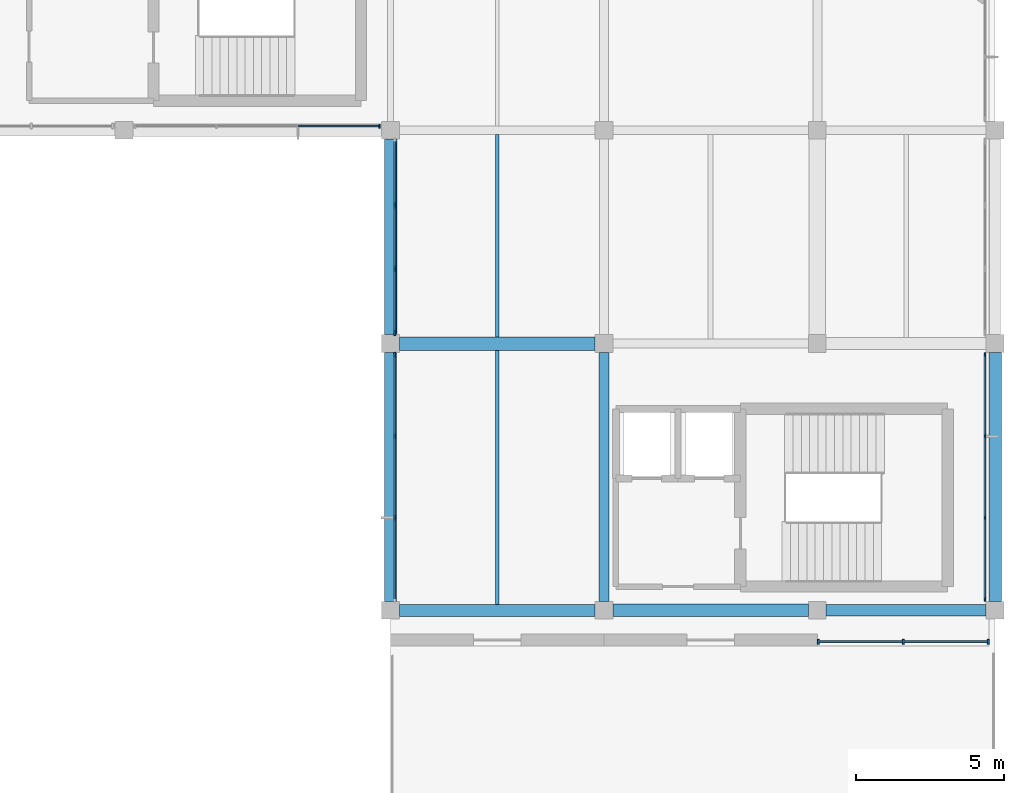
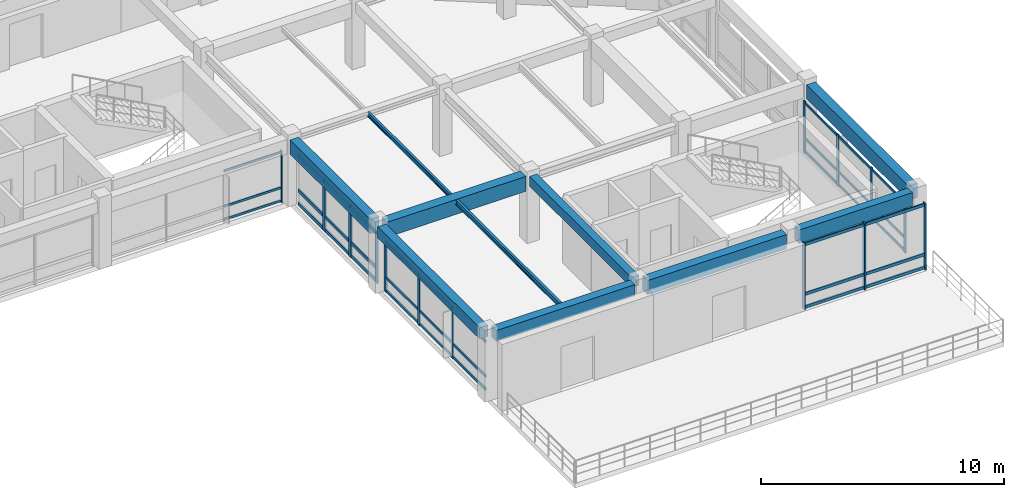
# One storey, part 4 of 12: 50 members, 10 beams, 5 elements without a shape of their own.
"""IFC4 building model written with IfcOpenShell, lengths in metres."""

from ifc_helpers import new_model, si_unit, direction, frame, origin, origin_2d, place, context, subcontext, project, spatial, rectangle, i_section, extrude, material, material_profile, profile_set, type_object, element, aggregate, save


model = new_model("IFC4")

# Units and contexts
model_context = context("Model", 3, precision=1e-05, world=origin(), true_north=direction((0.0, 1.0)))
body_context = subcontext(model_context, "Body", "Model", "MODEL_VIEW")
ifc_project = project(units=[si_unit("LENGTHUNIT", "METRE"), si_unit("AREAUNIT", "SQUARE_METRE"), si_unit("VOLUMEUNIT", "CUBIC_METRE"), si_unit("PLANEANGLEUNIT", "RADIAN"), si_unit("MASSUNIT", "GRAM", prefix="KILO")], contexts=[model_context])

# Site, building, storey
site_placement = place(None, origin())
site = spatial("IfcSite", under=ifc_project, at=site_placement, CompositionType="ELEMENT")
building_placement = place(site_placement, origin())
building = spatial("IfcBuilding", under=site, at=building_placement, Name="Clarverna Civic Hall", CompositionType="ELEMENT")
storey_placement = place(building_placement, frame((0.0, 0.0, 24.0)))
storey = spatial("IfcBuildingStorey", under=building, at=storey_placement, Name="L06", CompositionType="ELEMENT", Elevation=24.0)

# Beams
ifc_material_1 = material(Name="Concrete C35/45", Category="concrete")
ifc_material_profile_1 = material_profile(ifc_material_1, rectangle(XDim=0.35009765625, YDim=0.5, at=origin_2d()), Name="RC 350x500")
ifc_profile_set_1 = profile_set([ifc_material_profile_1], Name="Concrete C35/45")
beam_type_1 = type_object("IfcBeamType", Name="B-RC10", PredefinedType="BEAM", material=ifc_profile_set_1)
beam_1_placement = place(storey_placement, frame((154.800048828125, 79.10009765625, 3.090087890625), z_axis=(0.0, 1.0, 0.0), x_axis=(-1.0, 0.0, 0.0)))
element("IfcBeam", 1, at=beam_1_placement, inside=storey, type_object=beam_type_1, Name="B-RC10-033", PredefinedType="BEAM", context=body_context, shape_type="SweptSolid", body=[
    extrude(rectangle(XDim=0.35009765625, YDim=0.5, at=origin_2d()), origin(), (0.0, 0.0, 1.0), 8.39990234375),
])
ifc_material_profile_2 = material_profile(ifc_material_1, rectangle(XDim=0.449951171875, YDim=0.75, at=origin_2d()), Name="RC 450x750")
ifc_profile_set_2 = profile_set([ifc_material_profile_2], Name="Concrete C35/45")
beam_type_2 = type_object("IfcBeamType", Name="B-RC3", PredefinedType="BEAM", material=ifc_profile_set_2)
beam_2_placement = place(storey_placement, frame((147.89990234375, 87.800048828125, 2.965087890625), z_axis=(1.0, 0.0, 0.0), x_axis=(0.0, 1.0, 0.0)))
element("IfcBeam", 2, at=beam_2_placement, inside=storey, type_object=beam_type_2, Name="B-RC3-041", PredefinedType="BEAM", context=body_context, shape_type="SweptSolid", body=[
    extrude(rectangle(XDim=0.449951171875, YDim=0.75, at=origin_2d()), origin(), (0.0, 0.0, 1.0), 6.60009765625),
])
ifc_material_profile_3 = material_profile(ifc_material_1, rectangle(XDim=0.419921875, YDim=0.719970703125, at=origin_2d()), Name="RC 420x720")
ifc_profile_set_3 = profile_set([ifc_material_profile_3], Name="Concrete C35/45")
beam_type_3 = type_object("IfcBeamType", Name="B-SP1", PredefinedType="SPANDREL", material=ifc_profile_set_3)
for number, where, z_axis, x_axis, name in (
    (3, (155.10009765625, 78.800048828125, 2.97998046875), (1.0, 0.0, 0.0), (0.0, 1.0, 0.0), "B-SP1-150"),
    (4, (147.60009765625, 88.10009765625, 2.97998046875), (0.0, 1.0, 0.0), (-1.0, 0.0, 0.0), "B-SP1-154"),
):
    element("IfcBeam", number, at=place(storey_placement, frame(where, z_axis=z_axis, x_axis=x_axis)), inside=storey, type_object=beam_type_3, Name=name, PredefinedType="SPANDREL", context=body_context, shape_type="SweptSolid", body=[
        extrude(rectangle(XDim=0.419921875, YDim=0.719970703125, at=origin_2d()), origin(), (0.0, 0.0, 1.0), 6.599853515625),
    ])
beam_3_placement = place(storey_placement, frame((168.0, 79.10009765625, 2.97998046875), z_axis=(0.0, 1.0, 0.0), x_axis=(-1.0, 0.0, 0.0)))
element("IfcBeam", 5, at=beam_3_placement, inside=storey, type_object=beam_type_3, Name="B-SP1-155", PredefinedType="SPANDREL", context=body_context, shape_type="SweptSolid", body=[
    extrude(rectangle(XDim=0.419921875, YDim=0.719970703125, at=origin_2d()), origin(), (0.0, 0.0, 1.0), 8.39990234375),
])
ifc_material_profile_4 = material_profile(ifc_material_1, rectangle(XDim=0.3798828125, YDim=0.679931640625, at=origin_2d()), Name="RC 380x680")
ifc_profile_set_4 = profile_set([ifc_material_profile_4], Name="Concrete C35/45")
beam_type_4 = type_object("IfcBeamType", Name="B-SP2", PredefinedType="SPANDREL", material=ifc_profile_set_4)
beam_4_placement = place(storey_placement, frame((162.300048828125, 78.800048828125, 3.0), z_axis=(1.0, 0.0, 0.0), x_axis=(0.0, 1.0, 0.0)))
element("IfcBeam", 6, at=beam_4_placement, inside=storey, type_object=beam_type_4, Name="B-SP2-157", PredefinedType="SPANDREL", context=body_context, shape_type="SweptSolid", body=[
    extrude(rectangle(XDim=0.3798828125, YDim=0.679931640625, at=origin_2d()), origin(), (0.0, 0.0, 1.0), 5.39990234375),
])
ifc_material_profile_5 = material_profile(ifc_material_1, rectangle(XDim=0.39990234375, YDim=0.56005859375, at=origin_2d()), Name="RC 400x560")
ifc_profile_set_5 = profile_set([ifc_material_profile_5], Name="Concrete C35/45")
beam_type_5 = type_object("IfcBeamType", Name="B-SP4", PredefinedType="SPANDREL", material=ifc_profile_set_5)
beam_5_placement = place(storey_placement, frame((147.89990234375, 78.800048828125, 3.06005859375), z_axis=(1.0, 0.0, 0.0), x_axis=(0.0, 1.0, 0.0)))
element("IfcBeam", 7, at=beam_5_placement, inside=storey, type_object=beam_type_5, Name="B-SP4-154", PredefinedType="SPANDREL", context=body_context, shape_type="SweptSolid", body=[
    extrude(rectangle(XDim=0.39990234375, YDim=0.56005859375, at=origin_2d()), origin(), (0.0, 0.0, 1.0), 6.60009765625),
])
beam_6_placement = place(storey_placement, frame((147.60009765625, 79.10009765625, 3.06005859375), z_axis=(0.0, 1.0, 0.0), x_axis=(-1.0, 0.0, 0.0)))
element("IfcBeam", 8, at=beam_6_placement, inside=storey, type_object=beam_type_5, Name="B-SP4-157", PredefinedType="SPANDREL", context=body_context, shape_type="SweptSolid", body=[
    extrude(rectangle(XDim=0.39990234375, YDim=0.56005859375, at=origin_2d()), origin(), (0.0, 0.0, 1.0), 8.39990234375),
])

# Curtain wall, members
ifc_material_2 = material(Name="Anodised Bronze Architectural Aluminium", Category="aluminium")
curtain_wall_type = type_object("IfcCurtainWallType", Name="CW-01", PredefinedType="USERDEFINED", material=ifc_material_2)
curtain_wall_1_placement = place(storey_placement, origin())
curtain_wall_1 = element("IfcCurtainWall", 9, at=curtain_wall_1_placement, inside=storey, type_object=curtain_wall_type, Name="CW-01-119", ObjectType="UNITISED CURTAIN WALL", PredefinedType="USERDEFINED")
ifc_material_profile_6 = material_profile(ifc_material_2, rectangle(XDim=0.06005859375, YDim=0.179931640625, at=origin_2d()), Name="BRONZE 60x180")
ifc_profile_set_6 = profile_set([ifc_material_profile_6], Name="Anodised Bronze Architectural Aluminium")
member_type_1 = type_object("IfcMemberType", Name="CWM-01", PredefinedType="MULLION", material=ifc_profile_set_6)
member_1_placement = place(storey_placement, frame((167.76708984375, 77.739990234375, 0.0), z_axis=(0.0, 0.0, 1.0), x_axis=(1.0, 0.0, 0.0)))
member_1 = element("IfcMember", 10, at=member_1_placement, type_object=member_type_1, Name="CWM-01-217", PredefinedType="MULLION", context=body_context, shape_type="SweptSolid", body=[
    extrude(rectangle(XDim=0.06005859375, YDim=0.179931640625, at=origin_2d()), origin(), (0.0, 0.0, 1.0), 3.340087890625),
])
member_2_placement = place(storey_placement, frame((164.89990234375, 77.739990234375, 0.0), z_axis=(0.0, 0.0, 1.0), x_axis=(1.0, 0.0, 0.0)))
member_2 = element("IfcMember", 11, at=member_2_placement, type_object=member_type_1, Name="CWM-01-218", PredefinedType="MULLION", context=body_context, shape_type="SweptSolid", body=[
    extrude(rectangle(XDim=0.06005859375, YDim=0.179931640625, at=origin_2d()), origin(), (0.0, 0.0, 1.0), 3.340087890625),
])
member_3_placement = place(storey_placement, frame((162.032958984375, 77.739990234375, 0.0), z_axis=(0.0, 0.0, 1.0), x_axis=(1.0, 0.0, 0.0)))
member_3 = element("IfcMember", 12, at=member_3_placement, type_object=member_type_1, Name="CWM-01-219", PredefinedType="MULLION", context=body_context, shape_type="SweptSolid", body=[
    extrude(rectangle(XDim=0.06005859375, YDim=0.179931640625, at=origin_2d()), origin(), (0.0, 0.0, 1.0), 3.340087890625),
])

curtain_wall_2_placement = place(storey_placement, origin())
curtain_wall_2 = element("IfcCurtainWall", 13, at=curtain_wall_2_placement, inside=storey, type_object=curtain_wall_type, Name="CW-01-120", ObjectType="UNITISED CURTAIN WALL", PredefinedType="USERDEFINED")
ifc_material_profile_7 = material_profile(ifc_material_2, rectangle(XDim=0.06005859375, YDim=0.159912109375, at=origin_2d()), Name="BRONZE 60x160")
ifc_profile_set_7 = profile_set([ifc_material_profile_7], Name="Anodised Bronze Architectural Aluminium")
member_type_2 = type_object("IfcMemberType", Name="CWM-02", PredefinedType="MULLION", material=ifc_profile_set_7)
member_4_placement = place(storey_placement, frame((147.739990234375, 81.92431640625, 0.0), z_axis=(0.0, 0.0, 1.0), x_axis=(1.0, 0.0, 0.0)))
member_4 = element("IfcMember", 14, at=member_4_placement, type_object=member_type_2, Name="CWM-02-234", PredefinedType="MULLION", context=body_context, shape_type="SweptSolid", body=[
    extrude(rectangle(XDim=0.06005859375, YDim=0.159912109375, at=origin_2d()), origin(), (0.0, 0.0, 1.0), 2.590087890625),
])
member_5_placement = place(storey_placement, frame((147.739990234375, 84.67578125, 0.0), z_axis=(0.0, 0.0, 1.0), x_axis=(1.0, 0.0, 0.0)))
member_5 = element("IfcMember", 15, at=member_5_placement, type_object=member_type_2, Name="CWM-02-235", PredefinedType="MULLION", context=body_context, shape_type="SweptSolid", body=[
    extrude(rectangle(XDim=0.06005859375, YDim=0.159912109375, at=origin_2d()), origin(), (0.0, 0.0, 1.0), 2.590087890625),
])
member_6_placement = place(storey_placement, frame((147.739990234375, 87.427001953125, 0.0), z_axis=(0.0, 0.0, 1.0), x_axis=(1.0, 0.0, 0.0)))
member_6 = element("IfcMember", 16, at=member_6_placement, type_object=member_type_2, Name="CWM-02-236", PredefinedType="MULLION", context=body_context, shape_type="SweptSolid", body=[
    extrude(rectangle(XDim=0.06005859375, YDim=0.159912109375, at=origin_2d()), origin(), (0.0, 0.0, 1.0), 2.590087890625),
])

curtain_wall_3_placement = place(storey_placement, origin())
curtain_wall_3 = element("IfcCurtainWall", 17, at=curtain_wall_3_placement, inside=storey, type_object=curtain_wall_type, Name="CW-01-121", ObjectType="UNITISED CURTAIN WALL", PredefinedType="USERDEFINED")
ifc_material_profile_8 = material_profile(ifc_material_2, rectangle(XDim=0.06494140625, YDim=0.199951171875, at=origin_2d()), Name="BRONZE 65x200")
ifc_profile_set_8 = profile_set([ifc_material_profile_8], Name="Anodised Bronze Architectural Aluminium")
member_type_3 = type_object("IfcMemberType", Name="CWM-03", PredefinedType="MULLION", material=ifc_profile_set_8)
member_7_placement = place(storey_placement, frame((147.739990234375, 88.173095703125, 0.0), z_axis=(0.0, 0.0, 1.0), x_axis=(1.0, 0.0, 0.0)))
member_7 = element("IfcMember", 18, at=member_7_placement, type_object=member_type_3, Name="CWM-03-221", PredefinedType="MULLION", context=body_context, shape_type="SweptSolid", body=[
    extrude(rectangle(XDim=0.06494140625, YDim=0.199951171875, at=origin_2d()), origin(), (0.0, 0.0, 1.0), 2.590087890625),
])
member_8_placement = place(storey_placement, frame((147.739990234375, 90.32421875, 0.0), z_axis=(0.0, 0.0, 1.0), x_axis=(1.0, 0.0, 0.0)))
member_8 = element("IfcMember", 19, at=member_8_placement, type_object=member_type_3, Name="CWM-03-222", PredefinedType="MULLION", context=body_context, shape_type="SweptSolid", body=[
    extrude(rectangle(XDim=0.06494140625, YDim=0.199951171875, at=origin_2d()), origin(), (0.0, 0.0, 1.0), 2.590087890625),
])
member_9_placement = place(storey_placement, frame((147.739990234375, 92.4755859375, 0.0), z_axis=(0.0, 0.0, 1.0), x_axis=(1.0, 0.0, 0.0)))
member_9 = element("IfcMember", 20, at=member_9_placement, type_object=member_type_3, Name="CWM-03-223", PredefinedType="MULLION", context=body_context, shape_type="SweptSolid", body=[
    extrude(rectangle(XDim=0.06494140625, YDim=0.199951171875, at=origin_2d()), origin(), (0.0, 0.0, 1.0), 2.590087890625),
])

curtain_wall_4_placement = place(storey_placement, origin())
curtain_wall_4 = element("IfcCurtainWall", 21, at=curtain_wall_4_placement, inside=storey, type_object=curtain_wall_type, Name="CW-01-118", ObjectType="UNITISED CURTAIN WALL", PredefinedType="USERDEFINED")
ifc_material_profile_9 = material_profile(ifc_material_2, rectangle(XDim=0.054931640625, YDim=0.139892578125, at=origin_2d()), Name="BRONZE 55x140")
ifc_profile_set_9 = profile_set([ifc_material_profile_9], Name="Anodised Bronze Architectural Aluminium")
member_type_4 = type_object("IfcMemberType", Name="CWM-04", PredefinedType="MULLION", material=ifc_profile_set_9)
member_10_placement = place(storey_placement, frame((167.659912109375, 87.427001953125, 0.0), z_axis=(0.0, 0.0, 1.0), x_axis=(1.0, 0.0, 0.0)))
member_10 = element("IfcMember", 22, at=member_10_placement, type_object=member_type_4, Name="CWM-04-229", PredefinedType="MULLION", context=body_context, shape_type="SweptSolid", body=[
    extrude(rectangle(XDim=0.054931640625, YDim=0.139892578125, at=origin_2d()), origin(), (0.0, 0.0, 1.0), 2.6201171875),
])
member_11_placement = place(storey_placement, frame((167.659912109375, 84.67578125, 0.0), z_axis=(0.0, 0.0, 1.0), x_axis=(1.0, 0.0, 0.0)))
member_11 = element("IfcMember", 23, at=member_11_placement, type_object=member_type_4, Name="CWM-04-230", PredefinedType="MULLION", context=body_context, shape_type="SweptSolid", body=[
    extrude(rectangle(XDim=0.054931640625, YDim=0.139892578125, at=origin_2d()), origin(), (0.0, 0.0, 1.0), 2.6201171875),
])
member_12_placement = place(storey_placement, frame((167.659912109375, 81.92431640625, 0.0), z_axis=(0.0, 0.0, 1.0), x_axis=(1.0, 0.0, 0.0)))
member_12 = element("IfcMember", 24, at=member_12_placement, type_object=member_type_4, Name="CWM-04-231", PredefinedType="MULLION", context=body_context, shape_type="SweptSolid", body=[
    extrude(rectangle(XDim=0.054931640625, YDim=0.139892578125, at=origin_2d()), origin(), (0.0, 0.0, 1.0), 2.6201171875),
])
member_13_placement = place(storey_placement, frame((167.659912109375, 79.173095703125, 0.0), z_axis=(0.0, 0.0, 1.0), x_axis=(1.0, 0.0, 0.0)))
member_13 = element("IfcMember", 25, at=member_13_placement, type_object=member_type_4, Name="CWM-04-232", PredefinedType="MULLION", context=body_context, shape_type="SweptSolid", body=[
    extrude(rectangle(XDim=0.054931640625, YDim=0.139892578125, at=origin_2d()), origin(), (0.0, 0.0, 1.0), 2.6201171875),
])

# Curtain wall, member
curtain_wall_5_placement = place(storey_placement, origin())
curtain_wall_5 = element("IfcCurtainWall", 26, at=curtain_wall_5_placement, inside=storey, type_object=curtain_wall_type, Name="CW-01-122", ObjectType="UNITISED CURTAIN WALL", PredefinedType="USERDEFINED")
member_14_placement = place(storey_placement, frame((147.22705078125, 95.139892578125, 0.0), z_axis=(0.0, 0.0, 1.0), x_axis=(1.0, 0.0, 0.0)))
member_14 = element("IfcMember", 27, at=member_14_placement, type_object=member_type_4, Name="CWM-04-233", PredefinedType="MULLION", context=body_context, shape_type="SweptSolid", body=[
    extrude(rectangle(XDim=0.054931640625, YDim=0.139892578125, at=origin_2d()), origin(), (0.0, 0.0, 1.0), 2.6201171875),
])

# Member
ifc_material_profile_10 = material_profile(ifc_material_2, rectangle(XDim=0.06005859375, YDim=0.14990234375, at=origin_2d()), Name="BRONZE 60x150")
ifc_profile_set_10 = profile_set([ifc_material_profile_10], Name="Anodised Bronze Architectural Aluminium")
member_type_5 = type_object("IfcMemberType", Name="CWT-01", PredefinedType="USERDEFINED", material=ifc_profile_set_10)
member_15_placement = place(storey_placement, frame((167.751953125, 77.739990234375, 0.094970703125), z_axis=(-1.0, 0.0, 0.0), x_axis=(0.0, -1.0, 0.0)))
member_15 = element("IfcMember", 28, at=member_15_placement, type_object=member_type_5, Name="CWT-01-463", ObjectType="TRANSOM", PredefinedType="USERDEFINED", context=body_context, shape_type="SweptSolid", body=[
    extrude(rectangle(XDim=0.06005859375, YDim=0.14990234375, at=origin_2d()), origin(), (0.0, 0.0, 1.0), 2.8369140625),
])

member_16_placement = place(storey_placement, frame((167.751953125, 77.739990234375, 0.75), z_axis=(-1.0, 0.0, 0.0), x_axis=(0.0, -1.0, 0.0)))
member_16 = element("IfcMember", 29, at=member_16_placement, type_object=member_type_5, Name="CWT-01-464", ObjectType="TRANSOM", PredefinedType="USERDEFINED", context=body_context, shape_type="SweptSolid", body=[
    extrude(rectangle(XDim=0.06005859375, YDim=0.14990234375, at=origin_2d()), origin(), (0.0, 0.0, 1.0), 2.8369140625),
])

member_17_placement = place(storey_placement, frame((167.751953125, 77.739990234375, 3.2451171875), z_axis=(-1.0, 0.0, 0.0), x_axis=(0.0, -1.0, 0.0)))
member_17 = element("IfcMember", 30, at=member_17_placement, type_object=member_type_5, Name="CWT-01-465", ObjectType="TRANSOM", PredefinedType="USERDEFINED", context=body_context, shape_type="SweptSolid", body=[
    extrude(rectangle(XDim=0.06005859375, YDim=0.14990234375, at=origin_2d()), origin(), (0.0, 0.0, 1.0), 2.8369140625),
])

member_18_placement = place(storey_placement, frame((164.885009765625, 77.739990234375, 0.094970703125), z_axis=(-1.0, 0.0, 0.0), x_axis=(0.0, -1.0, 0.0)))
member_18 = element("IfcMember", 31, at=member_18_placement, type_object=member_type_5, Name="CWT-01-466", ObjectType="TRANSOM", PredefinedType="USERDEFINED", context=body_context, shape_type="SweptSolid", body=[
    extrude(rectangle(XDim=0.06005859375, YDim=0.14990234375, at=origin_2d()), origin(), (0.0, 0.0, 1.0), 2.8369140625),
])

member_19_placement = place(storey_placement, frame((164.885009765625, 77.739990234375, 0.75), z_axis=(-1.0, 0.0, 0.0), x_axis=(0.0, -1.0, 0.0)))
member_19 = element("IfcMember", 32, at=member_19_placement, type_object=member_type_5, Name="CWT-01-467", ObjectType="TRANSOM", PredefinedType="USERDEFINED", context=body_context, shape_type="SweptSolid", body=[
    extrude(rectangle(XDim=0.06005859375, YDim=0.14990234375, at=origin_2d()), origin(), (0.0, 0.0, 1.0), 2.8369140625),
])

member_20_placement = place(storey_placement, frame((164.885009765625, 77.739990234375, 3.2451171875), z_axis=(-1.0, 0.0, 0.0), x_axis=(0.0, -1.0, 0.0)))
member_20 = element("IfcMember", 33, at=member_20_placement, type_object=member_type_5, Name="CWT-01-468", ObjectType="TRANSOM", PredefinedType="USERDEFINED", context=body_context, shape_type="SweptSolid", body=[
    extrude(rectangle(XDim=0.06005859375, YDim=0.14990234375, at=origin_2d()), origin(), (0.0, 0.0, 1.0), 2.8369140625),
])

aggregate(curtain_wall_1, [member_1, member_2, member_3, member_15, member_16, member_17, member_18, member_19, member_20])

ifc_material_profile_11 = material_profile(ifc_material_2, rectangle(XDim=0.06005859375, YDim=0.1298828125, at=origin_2d()), Name="BRONZE 60x130")
ifc_profile_set_11 = profile_set([ifc_material_profile_11], Name="Anodised Bronze Architectural Aluminium")
member_type_6 = type_object("IfcMemberType", Name="CWT-02", PredefinedType="USERDEFINED", material=ifc_profile_set_11)
member_21_placement = place(storey_placement, frame((147.739990234375, 79.18798828125, 0.094970703125), z_axis=(0.0, 1.0, 0.0), x_axis=(-1.0, 0.0, 0.0)))
member_21 = element("IfcMember", 34, at=member_21_placement, type_object=member_type_6, Name="CWT-02-496", ObjectType="TRANSOM", PredefinedType="USERDEFINED", context=body_context, shape_type="SweptSolid", body=[
    extrude(rectangle(XDim=0.06005859375, YDim=0.1298828125, at=origin_2d()), origin(), (0.0, 0.0, 1.0), 2.72119140625),
])

member_22_placement = place(storey_placement, frame((147.739990234375, 79.18798828125, 0.75), z_axis=(0.0, 1.0, 0.0), x_axis=(-1.0, 0.0, 0.0)))
member_22 = element("IfcMember", 35, at=member_22_placement, type_object=member_type_6, Name="CWT-02-497", ObjectType="TRANSOM", PredefinedType="USERDEFINED", context=body_context, shape_type="SweptSolid", body=[
    extrude(rectangle(XDim=0.06005859375, YDim=0.1298828125, at=origin_2d()), origin(), (0.0, 0.0, 1.0), 2.72119140625),
])

member_23_placement = place(storey_placement, frame((147.739990234375, 79.18798828125, 2.4951171875), z_axis=(0.0, 1.0, 0.0), x_axis=(-1.0, 0.0, 0.0)))
member_23 = element("IfcMember", 36, at=member_23_placement, type_object=member_type_6, Name="CWT-02-498", ObjectType="TRANSOM", PredefinedType="USERDEFINED", context=body_context, shape_type="SweptSolid", body=[
    extrude(rectangle(XDim=0.06005859375, YDim=0.1298828125, at=origin_2d()), origin(), (0.0, 0.0, 1.0), 2.72119140625),
])

member_24_placement = place(storey_placement, frame((147.739990234375, 81.939208984375, 0.094970703125), z_axis=(0.0, 1.0, 0.0), x_axis=(-1.0, 0.0, 0.0)))
member_24 = element("IfcMember", 37, at=member_24_placement, type_object=member_type_6, Name="CWT-02-499", ObjectType="TRANSOM", PredefinedType="USERDEFINED", context=body_context, shape_type="SweptSolid", body=[
    extrude(rectangle(XDim=0.06005859375, YDim=0.1298828125, at=origin_2d()), origin(), (0.0, 0.0, 1.0), 2.721435546875),
])

member_25_placement = place(storey_placement, frame((147.739990234375, 81.939208984375, 0.75), z_axis=(0.0, 1.0, 0.0), x_axis=(-1.0, 0.0, 0.0)))
member_25 = element("IfcMember", 38, at=member_25_placement, type_object=member_type_6, Name="CWT-02-500", ObjectType="TRANSOM", PredefinedType="USERDEFINED", context=body_context, shape_type="SweptSolid", body=[
    extrude(rectangle(XDim=0.06005859375, YDim=0.1298828125, at=origin_2d()), origin(), (0.0, 0.0, 1.0), 2.721435546875),
])

member_26_placement = place(storey_placement, frame((147.739990234375, 81.939208984375, 2.4951171875), z_axis=(0.0, 1.0, 0.0), x_axis=(-1.0, 0.0, 0.0)))
member_26 = element("IfcMember", 39, at=member_26_placement, type_object=member_type_6, Name="CWT-02-501", ObjectType="TRANSOM", PredefinedType="USERDEFINED", context=body_context, shape_type="SweptSolid", body=[
    extrude(rectangle(XDim=0.06005859375, YDim=0.1298828125, at=origin_2d()), origin(), (0.0, 0.0, 1.0), 2.721435546875),
])

member_27_placement = place(storey_placement, frame((147.739990234375, 84.690673828125, 0.094970703125), z_axis=(0.0, 1.0, 0.0), x_axis=(-1.0, 0.0, 0.0)))
member_27 = element("IfcMember", 40, at=member_27_placement, type_object=member_type_6, Name="CWT-02-502", ObjectType="TRANSOM", PredefinedType="USERDEFINED", context=body_context, shape_type="SweptSolid", body=[
    extrude(rectangle(XDim=0.06005859375, YDim=0.1298828125, at=origin_2d()), origin(), (0.0, 0.0, 1.0), 2.721435546875),
])

member_28_placement = place(storey_placement, frame((147.739990234375, 84.690673828125, 0.75), z_axis=(0.0, 1.0, 0.0), x_axis=(-1.0, 0.0, 0.0)))
member_28 = element("IfcMember", 41, at=member_28_placement, type_object=member_type_6, Name="CWT-02-503", ObjectType="TRANSOM", PredefinedType="USERDEFINED", context=body_context, shape_type="SweptSolid", body=[
    extrude(rectangle(XDim=0.06005859375, YDim=0.1298828125, at=origin_2d()), origin(), (0.0, 0.0, 1.0), 2.721435546875),
])

member_29_placement = place(storey_placement, frame((147.739990234375, 84.690673828125, 2.4951171875), z_axis=(0.0, 1.0, 0.0), x_axis=(-1.0, 0.0, 0.0)))
member_29 = element("IfcMember", 42, at=member_29_placement, type_object=member_type_6, Name="CWT-02-504", ObjectType="TRANSOM", PredefinedType="USERDEFINED", context=body_context, shape_type="SweptSolid", body=[
    extrude(rectangle(XDim=0.06005859375, YDim=0.1298828125, at=origin_2d()), origin(), (0.0, 0.0, 1.0), 2.721435546875),
])

aggregate(curtain_wall_2, [member_4, member_5, member_6, member_21, member_22, member_23, member_24, member_25, member_26, member_27, member_28, member_29])

ifc_material_profile_12 = material_profile(ifc_material_2, rectangle(XDim=0.06494140625, YDim=0.169921875, at=origin_2d()), Name="BRONZE 65x170")
ifc_profile_set_12 = profile_set([ifc_material_profile_12], Name="Anodised Bronze Architectural Aluminium")
member_type_7 = type_object("IfcMemberType", Name="CWT-03", PredefinedType="USERDEFINED", material=ifc_profile_set_12)
member_30_placement = place(storey_placement, frame((147.739990234375, 88.18798828125, 0.094970703125), z_axis=(0.0, 1.0, 0.0), x_axis=(-1.0, 0.0, 0.0)))
member_30 = element("IfcMember", 43, at=member_30_placement, type_object=member_type_7, Name="CWT-03-469", ObjectType="TRANSOM", PredefinedType="USERDEFINED", context=body_context, shape_type="SweptSolid", body=[
    extrude(rectangle(XDim=0.06494140625, YDim=0.169921875, at=origin_2d()), origin(), (0.0, 0.0, 1.0), 2.121337890625),
])

member_31_placement = place(storey_placement, frame((147.739990234375, 88.18798828125, 0.75), z_axis=(0.0, 1.0, 0.0), x_axis=(-1.0, 0.0, 0.0)))
member_31 = element("IfcMember", 44, at=member_31_placement, type_object=member_type_7, Name="CWT-03-470", ObjectType="TRANSOM", PredefinedType="USERDEFINED", context=body_context, shape_type="SweptSolid", body=[
    extrude(rectangle(XDim=0.06494140625, YDim=0.169921875, at=origin_2d()), origin(), (0.0, 0.0, 1.0), 2.121337890625),
])

member_32_placement = place(storey_placement, frame((147.739990234375, 88.18798828125, 2.4951171875), z_axis=(0.0, 1.0, 0.0), x_axis=(-1.0, 0.0, 0.0)))
member_32 = element("IfcMember", 45, at=member_32_placement, type_object=member_type_7, Name="CWT-03-471", ObjectType="TRANSOM", PredefinedType="USERDEFINED", context=body_context, shape_type="SweptSolid", body=[
    extrude(rectangle(XDim=0.06494140625, YDim=0.169921875, at=origin_2d()), origin(), (0.0, 0.0, 1.0), 2.121337890625),
])

member_33_placement = place(storey_placement, frame((147.739990234375, 90.33935546875, 0.094970703125), z_axis=(0.0, 1.0, 0.0), x_axis=(-1.0, 0.0, 0.0)))
member_33 = element("IfcMember", 46, at=member_33_placement, type_object=member_type_7, Name="CWT-03-472", ObjectType="TRANSOM", PredefinedType="USERDEFINED", context=body_context, shape_type="SweptSolid", body=[
    extrude(rectangle(XDim=0.06494140625, YDim=0.169921875, at=origin_2d()), origin(), (0.0, 0.0, 1.0), 2.121337890625),
])

member_34_placement = place(storey_placement, frame((147.739990234375, 90.33935546875, 0.75), z_axis=(0.0, 1.0, 0.0), x_axis=(-1.0, 0.0, 0.0)))
member_34 = element("IfcMember", 47, at=member_34_placement, type_object=member_type_7, Name="CWT-03-473", ObjectType="TRANSOM", PredefinedType="USERDEFINED", context=body_context, shape_type="SweptSolid", body=[
    extrude(rectangle(XDim=0.06494140625, YDim=0.169921875, at=origin_2d()), origin(), (0.0, 0.0, 1.0), 2.121337890625),
])

member_35_placement = place(storey_placement, frame((147.739990234375, 90.33935546875, 2.4951171875), z_axis=(0.0, 1.0, 0.0), x_axis=(-1.0, 0.0, 0.0)))
member_35 = element("IfcMember", 48, at=member_35_placement, type_object=member_type_7, Name="CWT-03-474", ObjectType="TRANSOM", PredefinedType="USERDEFINED", context=body_context, shape_type="SweptSolid", body=[
    extrude(rectangle(XDim=0.06494140625, YDim=0.169921875, at=origin_2d()), origin(), (0.0, 0.0, 1.0), 2.121337890625),
])

member_36_placement = place(storey_placement, frame((147.739990234375, 92.49072265625, 0.094970703125), z_axis=(0.0, 1.0, 0.0), x_axis=(-1.0, 0.0, 0.0)))
member_36 = element("IfcMember", 49, at=member_36_placement, type_object=member_type_7, Name="CWT-03-475", ObjectType="TRANSOM", PredefinedType="USERDEFINED", context=body_context, shape_type="SweptSolid", body=[
    extrude(rectangle(XDim=0.06494140625, YDim=0.169921875, at=origin_2d()), origin(), (0.0, 0.0, 1.0), 2.121337890625),
])

member_37_placement = place(storey_placement, frame((147.739990234375, 92.49072265625, 0.75), z_axis=(0.0, 1.0, 0.0), x_axis=(-1.0, 0.0, 0.0)))
member_37 = element("IfcMember", 50, at=member_37_placement, type_object=member_type_7, Name="CWT-03-476", ObjectType="TRANSOM", PredefinedType="USERDEFINED", context=body_context, shape_type="SweptSolid", body=[
    extrude(rectangle(XDim=0.06494140625, YDim=0.169921875, at=origin_2d()), origin(), (0.0, 0.0, 1.0), 2.121337890625),
])

member_38_placement = place(storey_placement, frame((147.739990234375, 92.49072265625, 2.4951171875), z_axis=(0.0, 1.0, 0.0), x_axis=(-1.0, 0.0, 0.0)))
member_38 = element("IfcMember", 51, at=member_38_placement, type_object=member_type_7, Name="CWT-03-477", ObjectType="TRANSOM", PredefinedType="USERDEFINED", context=body_context, shape_type="SweptSolid", body=[
    extrude(rectangle(XDim=0.06494140625, YDim=0.169921875, at=origin_2d()), origin(), (0.0, 0.0, 1.0), 2.121337890625),
])

aggregate(curtain_wall_3, [member_7, member_8, member_9, member_30, member_31, member_32, member_33, member_34, member_35, member_36, member_37, member_38])

ifc_material_profile_13 = material_profile(ifc_material_2, rectangle(XDim=0.054931640625, YDim=0.110107421875, at=origin_2d()), Name="BRONZE 55x110")
ifc_profile_set_13 = profile_set([ifc_material_profile_13], Name="Anodised Bronze Architectural Aluminium")
member_type_8 = type_object("IfcMemberType", Name="CWT-04", PredefinedType="USERDEFINED", material=ifc_profile_set_13)
member_39_placement = place(storey_placement, frame((167.659912109375, 87.412109375, 0.094970703125), z_axis=(0.0, -1.0, 0.0), x_axis=(1.0, 0.0, 0.0)))
member_39 = element("IfcMember", 52, at=member_39_placement, type_object=member_type_8, Name="CWT-04-487", ObjectType="TRANSOM", PredefinedType="USERDEFINED", context=body_context, shape_type="SweptSolid", body=[
    extrude(rectangle(XDim=0.054931640625, YDim=0.110107421875, at=origin_2d()), origin(), (0.0, 0.0, 1.0), 2.721435546875),
])

member_40_placement = place(storey_placement, frame((167.659912109375, 87.412109375, 0.75), z_axis=(0.0, -1.0, 0.0), x_axis=(1.0, 0.0, 0.0)))
member_40 = element("IfcMember", 53, at=member_40_placement, type_object=member_type_8, Name="CWT-04-488", ObjectType="TRANSOM", PredefinedType="USERDEFINED", context=body_context, shape_type="SweptSolid", body=[
    extrude(rectangle(XDim=0.054931640625, YDim=0.110107421875, at=origin_2d()), origin(), (0.0, 0.0, 1.0), 2.721435546875),
])

member_41_placement = place(storey_placement, frame((167.659912109375, 87.412109375, 2.52490234375), z_axis=(0.0, -1.0, 0.0), x_axis=(1.0, 0.0, 0.0)))
member_41 = element("IfcMember", 54, at=member_41_placement, type_object=member_type_8, Name="CWT-04-489", ObjectType="TRANSOM", PredefinedType="USERDEFINED", context=body_context, shape_type="SweptSolid", body=[
    extrude(rectangle(XDim=0.054931640625, YDim=0.110107421875, at=origin_2d()), origin(), (0.0, 0.0, 1.0), 2.721435546875),
])

member_42_placement = place(storey_placement, frame((167.659912109375, 84.66064453125, 0.094970703125), z_axis=(0.0, -1.0, 0.0), x_axis=(1.0, 0.0, 0.0)))
member_42 = element("IfcMember", 55, at=member_42_placement, type_object=member_type_8, Name="CWT-04-490", ObjectType="TRANSOM", PredefinedType="USERDEFINED", context=body_context, shape_type="SweptSolid", body=[
    extrude(rectangle(XDim=0.054931640625, YDim=0.110107421875, at=origin_2d()), origin(), (0.0, 0.0, 1.0), 2.721435546875),
])

member_43_placement = place(storey_placement, frame((167.659912109375, 84.66064453125, 0.75), z_axis=(0.0, -1.0, 0.0), x_axis=(1.0, 0.0, 0.0)))
member_43 = element("IfcMember", 56, at=member_43_placement, type_object=member_type_8, Name="CWT-04-491", ObjectType="TRANSOM", PredefinedType="USERDEFINED", context=body_context, shape_type="SweptSolid", body=[
    extrude(rectangle(XDim=0.054931640625, YDim=0.110107421875, at=origin_2d()), origin(), (0.0, 0.0, 1.0), 2.721435546875),
])

member_44_placement = place(storey_placement, frame((167.659912109375, 84.66064453125, 2.52490234375), z_axis=(0.0, -1.0, 0.0), x_axis=(1.0, 0.0, 0.0)))
member_44 = element("IfcMember", 57, at=member_44_placement, type_object=member_type_8, Name="CWT-04-492", ObjectType="TRANSOM", PredefinedType="USERDEFINED", context=body_context, shape_type="SweptSolid", body=[
    extrude(rectangle(XDim=0.054931640625, YDim=0.110107421875, at=origin_2d()), origin(), (0.0, 0.0, 1.0), 2.721435546875),
])

member_45_placement = place(storey_placement, frame((167.659912109375, 81.9091796875, 0.094970703125), z_axis=(0.0, -1.0, 0.0), x_axis=(1.0, 0.0, 0.0)))
member_45 = element("IfcMember", 58, at=member_45_placement, type_object=member_type_8, Name="CWT-04-493", ObjectType="TRANSOM", PredefinedType="USERDEFINED", context=body_context, shape_type="SweptSolid", body=[
    extrude(rectangle(XDim=0.054931640625, YDim=0.110107421875, at=origin_2d()), origin(), (0.0, 0.0, 1.0), 2.72119140625),
])

member_46_placement = place(storey_placement, frame((167.659912109375, 81.9091796875, 0.75), z_axis=(0.0, -1.0, 0.0), x_axis=(1.0, 0.0, 0.0)))
member_46 = element("IfcMember", 59, at=member_46_placement, type_object=member_type_8, Name="CWT-04-494", ObjectType="TRANSOM", PredefinedType="USERDEFINED", context=body_context, shape_type="SweptSolid", body=[
    extrude(rectangle(XDim=0.054931640625, YDim=0.110107421875, at=origin_2d()), origin(), (0.0, 0.0, 1.0), 2.72119140625),
])

member_47_placement = place(storey_placement, frame((167.659912109375, 81.9091796875, 2.52490234375), z_axis=(0.0, -1.0, 0.0), x_axis=(1.0, 0.0, 0.0)))
member_47 = element("IfcMember", 60, at=member_47_placement, type_object=member_type_8, Name="CWT-04-495", ObjectType="TRANSOM", PredefinedType="USERDEFINED", context=body_context, shape_type="SweptSolid", body=[
    extrude(rectangle(XDim=0.054931640625, YDim=0.110107421875, at=origin_2d()), origin(), (0.0, 0.0, 1.0), 2.72119140625),
])

aggregate(curtain_wall_4, [member_10, member_11, member_12, member_13, member_39, member_40, member_41, member_42, member_43, member_44, member_45, member_46, member_47])

member_48_placement = place(storey_placement, frame((147.2119140625, 95.139892578125, 0.094970703125), z_axis=(-1.0, 0.0, 0.0), x_axis=(0.0, -1.0, 0.0)))
member_48 = element("IfcMember", 61, at=member_48_placement, type_object=member_type_8, Name="CWT-04-496", ObjectType="TRANSOM", PredefinedType="USERDEFINED", context=body_context, shape_type="SweptSolid", body=[
    extrude(rectangle(XDim=0.054931640625, YDim=0.110107421875, at=origin_2d()), origin(), (0.0, 0.0, 1.0), 2.72119140625),
])

member_49_placement = place(storey_placement, frame((147.2119140625, 95.139892578125, 0.75), z_axis=(-1.0, 0.0, 0.0), x_axis=(0.0, -1.0, 0.0)))
member_49 = element("IfcMember", 62, at=member_49_placement, type_object=member_type_8, Name="CWT-04-497", ObjectType="TRANSOM", PredefinedType="USERDEFINED", context=body_context, shape_type="SweptSolid", body=[
    extrude(rectangle(XDim=0.054931640625, YDim=0.110107421875, at=origin_2d()), origin(), (0.0, 0.0, 1.0), 2.72119140625),
])

member_50_placement = place(storey_placement, frame((147.2119140625, 95.139892578125, 2.52490234375), z_axis=(-1.0, 0.0, 0.0), x_axis=(0.0, -1.0, 0.0)))
member_50 = element("IfcMember", 63, at=member_50_placement, type_object=member_type_8, Name="CWT-04-498", ObjectType="TRANSOM", PredefinedType="USERDEFINED", context=body_context, shape_type="SweptSolid", body=[
    extrude(rectangle(XDim=0.054931640625, YDim=0.110107421875, at=origin_2d()), origin(), (0.0, 0.0, 1.0), 2.72119140625),
])

aggregate(curtain_wall_5, [member_14, member_48, member_49, member_50])

# Beams
ifc_material_3 = material(Name="Steel S355", Category="steel")
ifc_material_profile_14 = material_profile(ifc_material_3, i_section(OverallWidth=0.1201171875, OverallDepth=0.239990234375, WebThickness=0.006103515625, FlangeThickness=0.009765625, FilletRadius=0.014892578125, at=origin_2d()), Name="IPE 240")
ifc_profile_set_14 = profile_set([ifc_material_profile_14], Name="Steel S355")
beam_type_6 = type_object("IfcBeamType", Name="J-ST5", PredefinedType="JOIST", material=ifc_profile_set_14)
beam_7_placement = place(storey_placement, frame((151.199951171875, 79.0, 3.219970703125), z_axis=(0.0, 1.0, 0.0), x_axis=(-1.0, 0.0, 0.0)))
element("IfcBeam", 64, at=beam_7_placement, inside=storey, type_object=beam_type_6, Name="J-ST5-073", PredefinedType="JOIST", context=body_context, shape_type="SweptSolid", body=[
    extrude(i_section(OverallWidth=0.1201171875, OverallDepth=0.239990234375, WebThickness=0.006103515625, FlangeThickness=0.009765625, FilletRadius=0.014892578125, at=origin_2d()), origin(), (0.0, 0.0, 1.0), 8.574951171875),
])
ifc_material_profile_15 = material_profile(ifc_material_3, i_section(OverallWidth=0.110107421875, OverallDepth=0.219970703125, WebThickness=0.005859375, FlangeThickness=0.00927734375, FilletRadius=0.011962890625, at=origin_2d()), Name="IPE 220")
ifc_profile_set_15 = profile_set([ifc_material_profile_15], Name="Steel S355")
beam_type_7 = type_object("IfcBeamType", Name="J-ST6", PredefinedType="JOIST", material=ifc_profile_set_15)
beam_8_placement = place(storey_placement, frame((151.199951171875, 88.02490234375, 3.22998046875), z_axis=(0.0, 1.0, 0.0), x_axis=(-1.0, 0.0, 0.0)))
element("IfcBeam", 65, at=beam_8_placement, inside=storey, type_object=beam_type_7, Name="J-ST6-072", PredefinedType="JOIST", context=body_context, shape_type="SweptSolid", body=[
    extrude(i_section(OverallWidth=0.110107421875, OverallDepth=0.219970703125, WebThickness=0.005859375, FlangeThickness=0.00927734375, FilletRadius=0.011962890625, at=origin_2d()), origin(), (0.0, 0.0, 1.0), 6.8251953125),
])

save(model, "model.ifc")
